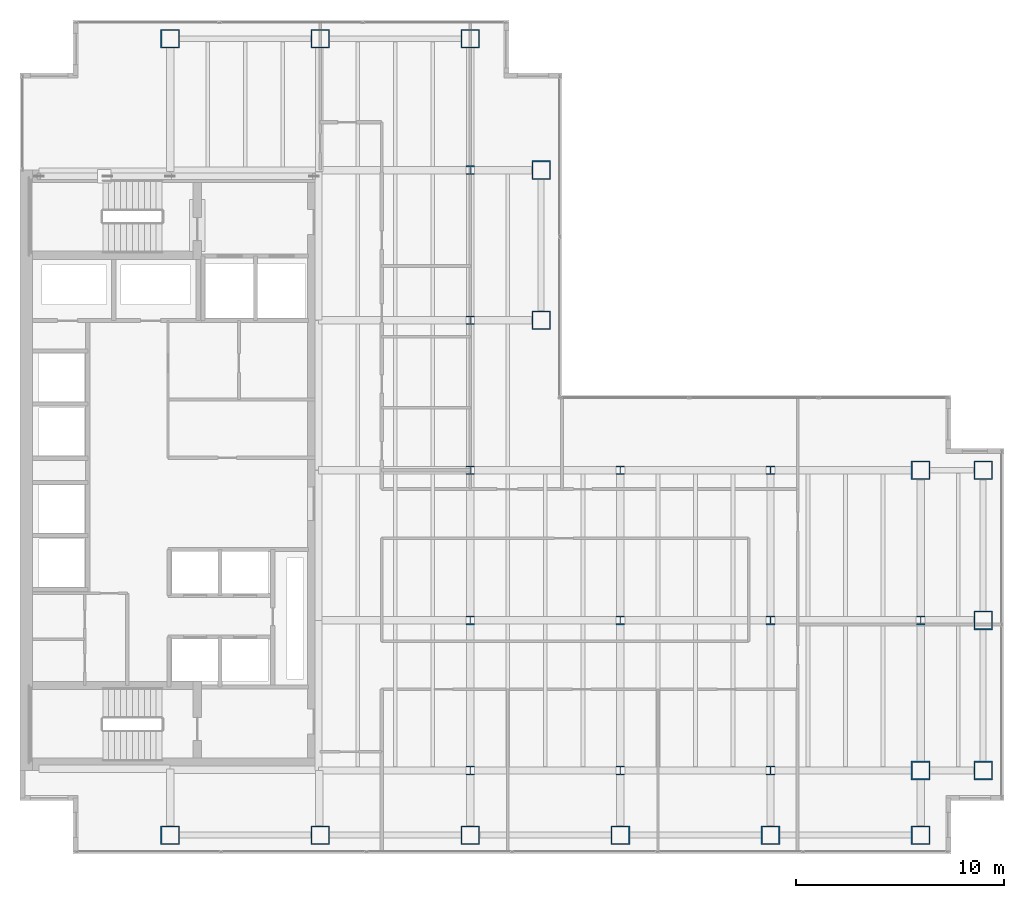
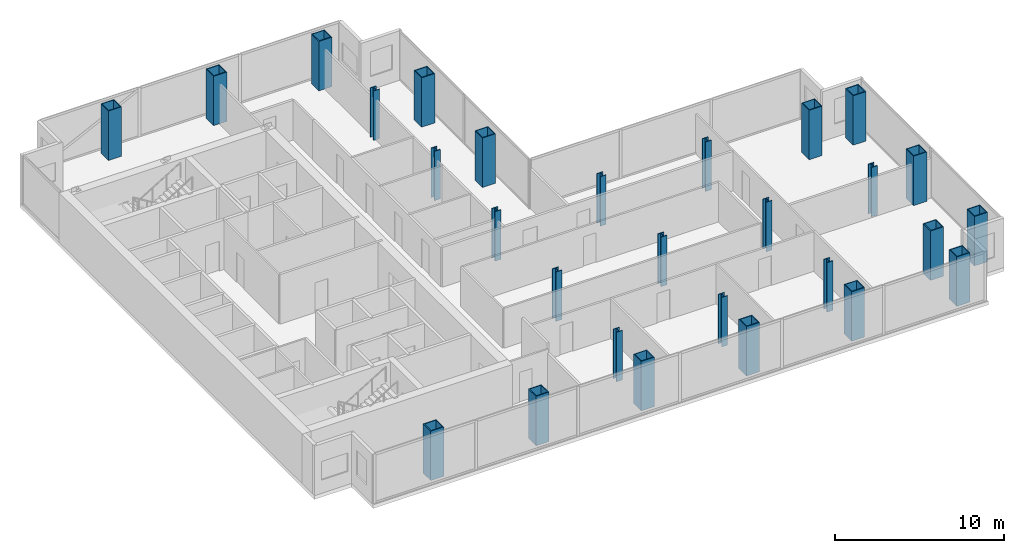
# One storey, part 1 of 24: 28 columns.
"""IFC4 building model written with IfcOpenShell, lengths in metres."""

from ifc_helpers import new_model, si_unit, direction, frame, origin, origin_2d, place, context, subcontext, project, spatial, hollow_rectangle, i_section, extrude, material, material_profile, profile_set, type_object, element, save


model = new_model("IFC4")

# Units and contexts
model_context = context("Model", 3, precision=1e-05, world=origin(), true_north=direction((0.0, 1.0)))
body_context = subcontext(model_context, "Body", "Model", "MODEL_VIEW")
ifc_project = project(units=[si_unit("LENGTHUNIT", "METRE"), si_unit("AREAUNIT", "SQUARE_METRE"), si_unit("VOLUMEUNIT", "CUBIC_METRE"), si_unit("PLANEANGLEUNIT", "RADIAN"), si_unit("MASSUNIT", "GRAM", prefix="KILO")], contexts=[model_context])

# Site, building, storey
site_placement = place(None, origin())
site = spatial("IfcSite", under=ifc_project, at=site_placement, CompositionType="ELEMENT")
building_placement = place(site_placement, origin())
building = spatial("IfcBuilding", under=site, at=building_placement, Name="Cobrela Telecom Tower", CompositionType="ELEMENT")
storey_placement = place(building_placement, frame((0.0, 0.0, 136.85009765625)))
storey = spatial("IfcBuildingStorey", under=building, at=storey_placement, Name="L34", CompositionType="ELEMENT", Elevation=136.85009765625)

# Columns
ifc_material_1 = material(Name="Steel ASTM A992 Grade 50", Category="steel")
ifc_material_profile_1 = material_profile(ifc_material_1, i_section(OverallWidth=0.408935546875, OverallDepth=0.424072265625, WebThickness=0.03271484375, FlangeThickness=0.052490234375, FilletRadius=0.01806640625, at=origin_2d()), Name="W14X283")
ifc_profile_set_1 = profile_set([ifc_material_profile_1], Name="Steel ASTM A992 Grade 50")
column_type_1 = type_object("IfcColumnType", Name="COL-INT-05", PredefinedType="COLUMN", material=ifc_profile_set_1)
for number, where, z_axis, x_axis, name in (
    (1, (21.60009765625, 7.199951171875, 0.0), (0.0, 0.0, 1.0), (1.0, 0.0, 0.0), "L34 Interior Column 06"),
    (2, (21.60009765625, 14.39990234375, 0.0), (0.0, 0.0, 1.0), (1.0, 0.0, 0.0), "L34 Interior Column 07"),
    (3, (21.60009765625, 21.60009765625, 0.0), (0.0, 0.0, 1.0), (1.0, 0.0, 0.0), "L34 Interior Column 08"),
    (4, (21.60009765625, 28.800048828125, 0.0), (0.0, 0.0, 1.0), (1.0, 0.0, 0.0), "L34 Interior Column 09"),
    (5, (21.60009765625, 36.0, 0.0), (0.0, 0.0, 1.0), (1.0, 0.0, 0.0), "L34 Interior Column 10"),
    (6, (28.800048828125, 7.199951171875, 0.0), (0.0, 0.0, 1.0), (1.0, 0.0, 0.0), "L34 Interior Column 15"),
    (7, (28.800048828125, 14.39990234375, 0.0), (0.0, 0.0, 1.0), (1.0, 0.0, 0.0), "L34 Interior Column 16"),
    (8, (28.800048828125, 21.60009765625, 0.0), (0.0, 0.0, 1.0), (1.0, 0.0, 0.0), "L34 Interior Column 17"),
    (9, (36.0, 7.199951171875, 0.0), (0.0, 0.0, 1.0), (1.0, 0.0, 0.0), "L34 Interior Column 19"),
    (10, (36.0, 14.39990234375, 0.0), (0.0, 0.0, 1.0), (1.0, 0.0, 0.0), "L34 Interior Column 20"),
    (11, (36.0, 21.60009765625, 0.0), (0.0, 0.0, 1.0), (1.0, 0.0, 0.0), "L34 Interior Column 21"),
    (12, (43.199951171875, 14.39990234375, 0.0), (0.0, 0.0, 1.0), (1.0, 0.0, 0.0), "L34 Interior Column 24"),
):
    element("IfcColumn", number, at=place(storey_placement, frame(where, z_axis=z_axis, x_axis=x_axis)), inside=storey, type_object=column_type_1, Name=name, PredefinedType="COLUMN", context=body_context, shape_type="SweptSolid", body=[
        extrude(i_section(OverallWidth=0.408935546875, OverallDepth=0.424072265625, WebThickness=0.03271484375, FlangeThickness=0.052490234375, FilletRadius=0.01806640625, at=origin_2d()), origin(), (0.0, 0.0, 1.0), 3.579833984375),
    ])
ifc_material_2 = material(Name="Steel ASTM A572 Grade 50", Category="steel")
ifc_material_profile_2 = material_profile(ifc_material_2, hollow_rectangle(XDim=0.89990234375, YDim=0.89990234375, WallThickness=0.054931640625, at=origin_2d()), Name="BOX 900x900x55")
ifc_profile_set_2 = profile_set([ifc_material_profile_2], Name="Steel ASTM A572 Grade 50")
column_type_2 = type_object("IfcColumnType", Name="COL-MEGA-05", PredefinedType="COLUMN", material=ifc_profile_set_2)
for number, where, z_axis, x_axis, name in (
    (13, (7.199951171875, 4.10009765625, 0.0), (0.0, 0.0, 1.0), (1.0, 0.0, 0.0), "L34 Perimeter Mega-Column 01"),
    (14, (7.199951171875, 42.300048828125, 0.0), (0.0, 0.0, 1.0), (1.0, 0.0, 0.0), "L34 Perimeter Mega-Column 02"),
    (15, (14.39990234375, 4.10009765625, 0.0), (0.0, 0.0, 1.0), (1.0, 0.0, 0.0), "L34 Perimeter Mega-Column 03"),
    (16, (14.39990234375, 42.300048828125, 0.0), (0.0, 0.0, 1.0), (1.0, 0.0, 0.0), "L34 Perimeter Mega-Column 04"),
    (17, (21.60009765625, 4.10009765625, 0.0), (0.0, 0.0, 1.0), (1.0, 0.0, 0.0), "L34 Perimeter Mega-Column 05"),
    (18, (21.60009765625, 42.300048828125, 0.0), (0.0, 0.0, 1.0), (1.0, 0.0, 0.0), "L34 Perimeter Mega-Column 11"),
    (19, (25.0, 28.800048828125, 0.0), (0.0, 0.0, 1.0), (1.0, 0.0, 0.0), "L34 Perimeter Mega-Column 12"),
    (20, (25.0, 36.0, 0.0), (0.0, 0.0, 1.0), (1.0, 0.0, 0.0), "L34 Perimeter Mega-Column 13"),
    (21, (28.800048828125, 4.10009765625, 0.0), (0.0, 0.0, 1.0), (1.0, 0.0, 0.0), "L34 Perimeter Mega-Column 14"),
    (22, (36.0, 4.10009765625, 0.0), (0.0, 0.0, 1.0), (1.0, 0.0, 0.0), "L34 Perimeter Mega-Column 18"),
    (23, (43.199951171875, 4.10009765625, 0.0), (0.0, 0.0, 1.0), (1.0, 0.0, 0.0), "L34 Perimeter Mega-Column 22"),
    (24, (43.199951171875, 7.199951171875, 0.0), (0.0, 0.0, 1.0), (1.0, 0.0, 0.0), "L34 Perimeter Mega-Column 23"),
    (25, (43.199951171875, 21.60009765625, 0.0), (0.0, 0.0, 1.0), (1.0, 0.0, 0.0), "L34 Perimeter Mega-Column 25"),
    (26, (46.199951171875, 7.199951171875, 0.0), (0.0, 0.0, 1.0), (1.0, 0.0, 0.0), "L34 Perimeter Mega-Column 26"),
    (27, (46.199951171875, 14.39990234375, 0.0), (0.0, 0.0, 1.0), (1.0, 0.0, 0.0), "L34 Perimeter Mega-Column 27"),
    (28, (46.199951171875, 21.60009765625, 0.0), (0.0, 0.0, 1.0), (1.0, 0.0, 0.0), "L34 Perimeter Mega-Column 28"),
):
    element("IfcColumn", number, at=place(storey_placement, frame(where, z_axis=z_axis, x_axis=x_axis)), inside=storey, type_object=column_type_2, Name=name, PredefinedType="COLUMN", context=body_context, shape_type="SweptSolid", body=[
        extrude(hollow_rectangle(XDim=0.89990234375, YDim=0.89990234375, WallThickness=0.054931640625, at=origin_2d()), origin(), (0.0, 0.0, 1.0), 3.579833984375),
    ])

save(model, "model.ifc")
